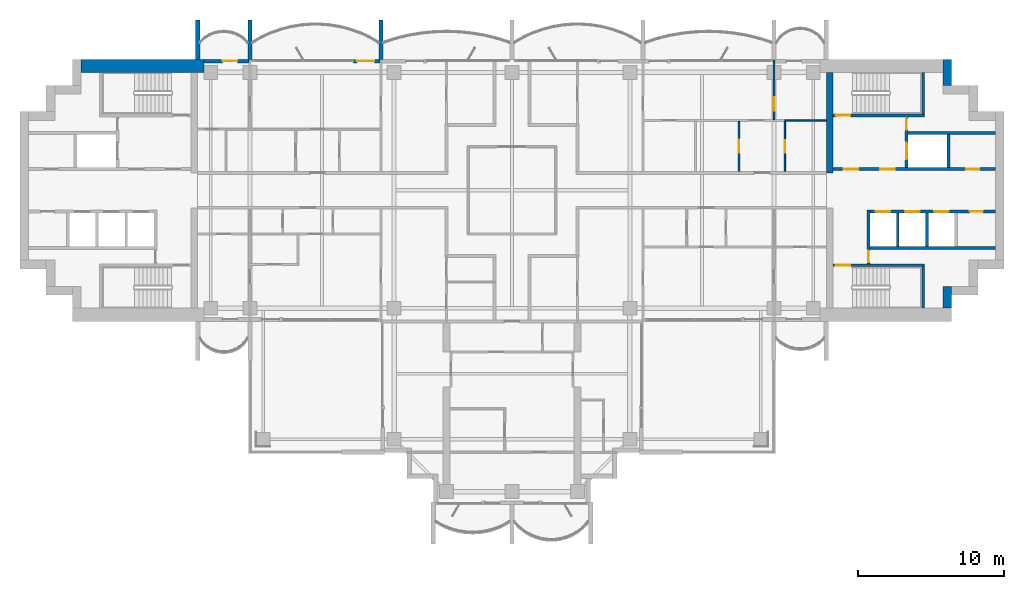
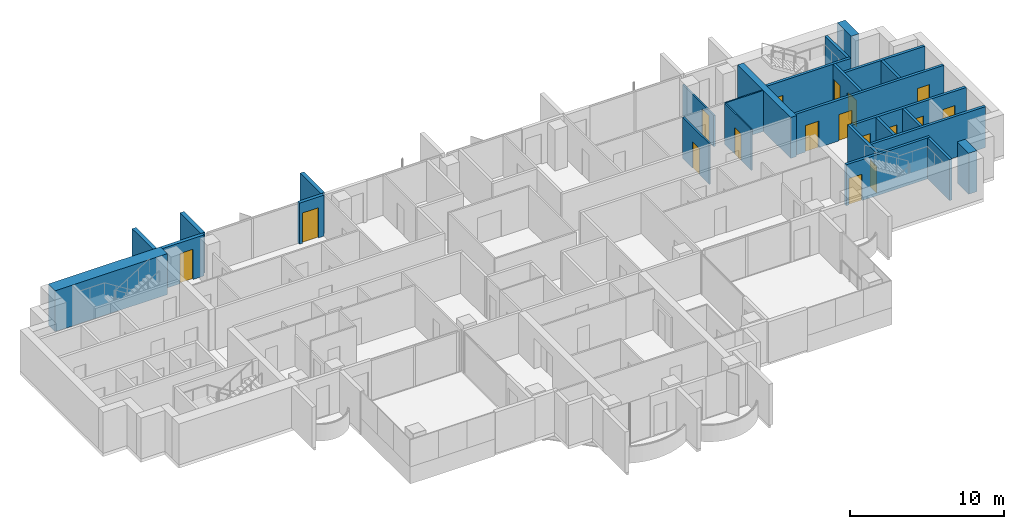
# One storey, part 12 of 17: 26 walls, 17 doors, 17 openings.
"""IFC4 building model written with IfcOpenShell, lengths in metres."""

from ifc_helpers import new_model, si_unit, direction, frame, frame_2d, origin, place, context, subcontext, project, spatial, rectangle, extrude, material, layer, layer_set, type_object, element, fill, save


model = new_model("IFC4")

# Units and contexts
model_context = context("Model", 3, precision=1e-05, world=origin(), true_north=direction((0.0, 1.0)))
body_context = subcontext(model_context, "Body", "Model", "MODEL_VIEW")
ifc_project = project(units=[si_unit("LENGTHUNIT", "METRE"), si_unit("AREAUNIT", "SQUARE_METRE"), si_unit("VOLUMEUNIT", "CUBIC_METRE"), si_unit("PLANEANGLEUNIT", "RADIAN"), si_unit("MASSUNIT", "GRAM", prefix="KILO")], contexts=[model_context])

# Site, building, storey
site_placement = place(None, origin())
site = spatial("IfcSite", under=ifc_project, at=site_placement, CompositionType="ELEMENT")
building_placement = place(site_placement, origin())
building = spatial("IfcBuilding", under=site, at=building_placement, Name="Perihelion Cross Residences", CompositionType="ELEMENT")
storey_placement = place(building_placement, frame((0.0, 0.0, 201.60009765625)))
storey = spatial("IfcBuildingStorey", under=building, at=storey_placement, Name="L50", CompositionType="ELEMENT", Elevation=201.60009765625)

# Wall, opening, door
ifc_material_1 = material(Name="Concrete C30/37, bronze-clad", Category="concrete")
ifc_layer_1 = layer(ifc_material_1, 0.25)
ifc_layer_set_1 = layer_set([ifc_layer_1], Name="Bronze-clad pier wall 250")
wall_type_1 = type_object("IfcWallType", Name="Bronze-clad pier wall 250", PredefinedType="SOLIDWALL", material=ifc_layer_set_1)
wall_1_placement = place(storey_placement, frame((-9.06005859375, 8.875, 0.0), z_axis=(0.0, 0.0, 1.0), x_axis=(-1.0, 0.0, 0.0)))
wall_1 = element("IfcWall", 1, at=wall_1_placement, inside=storey, type_object=wall_type_1, Name="Wall FW1 L50 west side north bay 1 pier", PredefinedType="SOLIDWALL", context=body_context, shape_type="SweptSolid", body=[
    extrude(rectangle(XDim=1.83984375, YDim=0.25, at=frame_2d((0.919921875, 0.0))), origin(), (0.0, 0.0, 1.0), 3.25),
])
opening_1_placement = place(wall_1_placement, frame((0.389892578125, 0.0, 0.0)))
opening_1 = element("IfcOpeningElement", 2, at=opening_1_placement, cuts=wall_1, Name="Opening L50.E05", PredefinedType="OPENING", context=body_context, shape_type="SweptSolid", body=[
    extrude(rectangle(XDim=1.199951171875, YDim=2.39990234375, at=frame_2d((0.60009765625, 1.199951171875))), frame((0.0, 0.135009765625, 0.0), z_axis=(0.0, -1.0, 0.0), x_axis=(1.0, 0.0, 0.0)), (0.0, 0.0, 1.0), 0.27001953125),
])
ifc_material_2 = material(Name="Bronze anodised aluminium, glazed", Category="aluminium")
door_type_1 = type_object("IfcDoorType", Name="Balcony door 1200 x 2400", OperationType="NOTDEFINED", PredefinedType="DOOR", material=ifc_material_2)
door_1_placement = place(opening_1_placement, origin())
door_1 = element("IfcDoor", 3, at=door_1_placement, inside=storey, type_object=door_type_1, Name="Door L50.E05 west side north bay 1", OperationType="SINGLE_SWING_LEFT", OverallHeight=2.39990234375, OverallWidth=1.199951171875, PredefinedType="DOOR", context=body_context, shape_type="SweptSolid", body=[
    extrude(rectangle(XDim=1.199951171875, YDim=2.39990234375, at=frame_2d((0.60009765625, 1.199951171875))), frame((0.0, 0.02490234375, 0.0), z_axis=(0.0, -1.0, 0.0), x_axis=(1.0, 0.0, 0.0)), (0.0, 0.0, 1.0), 0.050048828125),
])
fill(opening_1, door_1)

wall_2_placement = place(storey_placement, frame((-18.06005859375, 8.875, 0.0), z_axis=(0.0, 0.0, 1.0), x_axis=(-1.0, 0.0, 0.0)))
wall_2 = element("IfcWall", 4, at=wall_2_placement, inside=storey, type_object=wall_type_1, Name="Wall FW1 L50 west side north bay 2 pier", PredefinedType="SOLIDWALL", context=body_context, shape_type="SweptSolid", body=[
    extrude(rectangle(XDim=3.114990234375, YDim=0.25, at=frame_2d((1.5576171875, 0.0))), origin(), (0.0, 0.0, 1.0), 3.25),
])
opening_2_placement = place(wall_2_placement, frame((0.81494140625, 0.0, 0.0)))
opening_2 = element("IfcOpeningElement", 5, at=opening_2_placement, cuts=wall_2, Name="Opening L50.E06", PredefinedType="OPENING", context=body_context, shape_type="SweptSolid", body=[
    extrude(rectangle(XDim=1.0, YDim=2.39990234375, at=frame_2d((0.5, 1.199951171875))), frame((0.0, 0.135009765625, 0.0), z_axis=(0.0, -1.0, 0.0), x_axis=(1.0, 0.0, 0.0)), (0.0, 0.0, 1.0), 0.27001953125),
])
ifc_material_3 = material(Name="Bronze anodised aluminium, glazed", Category="aluminium")
door_type_2 = type_object("IfcDoorType", Name="Balcony door 1000 x 2400", OperationType="NOTDEFINED", PredefinedType="DOOR", material=ifc_material_3)
door_2_placement = place(opening_2_placement, origin())
door_2 = element("IfcDoor", 6, at=door_2_placement, inside=storey, type_object=door_type_2, Name="Door L50.E06 west side north bay 2", OperationType="SINGLE_SWING_RIGHT", OverallHeight=2.39990234375, OverallWidth=1.0, PredefinedType="DOOR", context=body_context, shape_type="SweptSolid", body=[
    extrude(rectangle(XDim=1.0, YDim=2.39990234375, at=frame_2d((0.5, 1.199951171875))), frame((0.0, 0.02490234375, 0.0), z_axis=(0.0, -1.0, 0.0), x_axis=(1.0, 0.0, 0.0)), (0.0, 0.0, 1.0), 0.050048828125),
])
fill(opening_2, door_2)

# Walls
ifc_material_4 = material(Name="Concrete C60/75", Category="concrete")
ifc_layer_2 = layer(ifc_material_4, 0.449951171875)
ifc_layer_set_2 = layer_set([ifc_layer_2], Name="Core wall, inner 450")
wall_type_2 = type_object("IfcWallType", Name="Core wall, inner 450", PredefinedType="SHEAR", material=ifc_layer_set_2)
wall_3_placement = place(storey_placement, frame((21.824951171875, 1.199951171875, 0.0), z_axis=(0.0, 0.0, 1.0), x_axis=(0.0, 1.0, 0.0)))
element("IfcWall", 7, at=wall_3_placement, inside=storey, type_object=wall_type_2, Name="East core core wall, inner", PredefinedType="SHEAR", context=body_context, shape_type="SweptSolid", body=[
    extrude(rectangle(XDim=6.900146484375, YDim=0.449951171875, at=frame_2d((3.4501953125, 0.0))), origin(), (0.0, 0.0, 1.0), 3.25),
])
ifc_material_5 = material(Name="Concrete C60/75", Category="concrete")
ifc_layer_3 = layer(ifc_material_5, 0.60009765625)
ifc_layer_set_3 = layer_set([ifc_layer_3], Name="Core wall, outer 600")
wall_type_3 = type_object("IfcWallType", Name="Core wall, outer 600", PredefinedType="SHEAR", material=ifc_layer_set_3)
wall_4_placement = place(storey_placement, frame((29.89990234375, -8.10009765625, 0.0), z_axis=(0.0, 0.0, 1.0), x_axis=(0.0, 1.0, 0.0)))
element("IfcWall", 8, at=wall_4_placement, inside=storey, type_object=wall_type_3, Name="East core core wall, outer", PredefinedType="SHEAR", context=body_context, shape_type="SweptSolid", body=[
    extrude(rectangle(XDim=1.5, YDim=0.60009765625, at=frame_2d((0.75, 0.0))), origin(), (0.0, 0.0, 1.0), 3.25),
])
wall_5_placement = place(storey_placement, frame((29.89990234375, 7.199951171875, 0.0), z_axis=(0.0, 0.0, 1.0), x_axis=(0.0, 1.0, 0.0)))
element("IfcWall", 9, at=wall_5_placement, inside=storey, type_object=wall_type_3, Name="East core core wall, outer", PredefinedType="SHEAR", context=body_context, shape_type="SweptSolid", body=[
    extrude(rectangle(XDim=1.800048828125, YDim=0.60009765625, at=frame_2d((0.89990234375, 0.0))), origin(), (0.0, 0.0, 1.0), 3.25),
])
ifc_material_6 = material(Name="Concrete C60/75", Category="concrete")
ifc_layer_4 = layer(ifc_material_6, 0.89990234375)
ifc_layer_set_4 = layer_set([ifc_layer_4], Name="Core wall, outer 900")
wall_type_4 = type_object("IfcWallType", Name="Core wall, outer 900", PredefinedType="SHEAR", material=ifc_layer_set_4)
wall_6_placement = place(storey_placement, frame((-29.60009765625, 8.550048828125, 0.0), z_axis=(0.0, 0.0, 1.0), x_axis=(1.0, 0.0, 0.0)))
element("IfcWall", 10, at=wall_6_placement, inside=storey, type_object=wall_type_4, Name="West core core wall, outer", PredefinedType="SHEAR", context=body_context, shape_type="SweptSolid", body=[
    extrude(rectangle(XDim=8.425048828125, YDim=0.89990234375, at=frame_2d((4.21240234375, 0.0))), origin(), (0.0, 0.0, 1.0), 3.25),
])

# Wall, opening, door
ifc_material_7 = material(Name="Concrete C50/60", Category="concrete")
ifc_layer_5 = layer(ifc_material_7, 0.199951171875)
ifc_layer_set_5 = layer_set([ifc_layer_5], Name="Lobby wall 200")
wall_type_5 = type_object("IfcWallType", Name="Lobby wall 200", PredefinedType="SOLIDWALL", material=ifc_layer_set_5)
wall_7_placement = place(storey_placement, frame((24.5, -5.050048828125, 0.0), z_axis=(0.0, 0.0, 1.0), x_axis=(0.0, 1.0, 0.0)))
wall_7 = element("IfcWall", 11, at=wall_7_placement, inside=storey, type_object=wall_type_5, Name="East core lobby wall", PredefinedType="SOLIDWALL", context=body_context, shape_type="SweptSolid", body=[
    extrude(rectangle(XDim=3.699951171875, YDim=0.199951171875, at=frame_2d((1.85009765625, 0.0))), origin(), (0.0, 0.0, 1.0), 3.25),
])
opening_3_placement = place(wall_7_placement, frame((0.10009765625, 0.0, 0.0)))
opening_3 = element("IfcOpeningElement", 12, at=opening_3_placement, cuts=wall_7, Name="Opening L50.C08", PredefinedType="OPENING", context=body_context, shape_type="SweptSolid", body=[
    extrude(rectangle(XDim=0.800048828125, YDim=2.10009765625, at=frame_2d((0.39990234375, 1.050048828125))), frame((0.0, 0.10986328125, 0.0), z_axis=(0.0, -1.0, 0.0), x_axis=(1.0, 0.0, 0.0)), (0.0, 0.0, 1.0), 0.219970703125),
])
ifc_material_8 = material(Name="Steel, powder coated", Category="steel")
door_type_3 = type_object("IfcDoorType", Name="Riser door 800", OperationType="SINGLE_SWING_LEFT", PredefinedType="DOOR", material=ifc_material_8)
door_3_placement = place(opening_3_placement, origin())
door_3 = element("IfcDoor", 13, at=door_3_placement, inside=storey, type_object=door_type_3, Name="East core riser door", OperationType="SINGLE_SWING_LEFT", OverallHeight=2.10009765625, OverallWidth=0.800048828125, PredefinedType="DOOR", context=body_context, shape_type="SweptSolid", body=[
    extrude(rectangle(XDim=0.800048828125, YDim=2.10009765625, at=frame_2d((0.39990234375, 1.050048828125))), frame((0.0, 0.02490234375, 0.0), z_axis=(0.0, -1.0, 0.0), x_axis=(1.0, 0.0, 0.0)), (0.0, 0.0, 1.0), 0.050048828125),
])
fill(opening_3, door_3)

ifc_material_9 = material(Name="Plasterboard partition")
ifc_layer_6 = layer(ifc_material_9, 0.1201171875)
ifc_layer_set_6 = layer_set([ifc_layer_6], Name="Partition wall 120")
wall_type_6 = type_object("IfcWallType", Name="Partition wall 120", PredefinedType="PARTITIONING", material=ifc_layer_set_6)
wall_8_placement = place(storey_placement, frame((15.60009765625, 4.739990234375, 0.0), z_axis=(0.0, 0.0, 1.0), x_axis=(0.0, -1.0, 0.0)))
wall_8 = element("IfcWall", 14, at=wall_8_placement, inside=storey, type_object=wall_type_6, Name="Partition L50 W025", PredefinedType="PARTITIONING", context=body_context, shape_type="SweptSolid", body=[
    extrude(rectangle(XDim=3.43994140625, YDim=0.1201171875, at=frame_2d((1.719970703125, 0.0))), origin(), (0.0, 0.0, 1.0), 3.25),
])
opening_4_placement = place(wall_8_placement, frame((1.27001953125, 0.0, 0.0)))
opening_4 = element("IfcOpeningElement", 15, at=opening_4_placement, cuts=wall_8, Name="Opening L50.A08", PredefinedType="OPENING", context=body_context, shape_type="SweptSolid", body=[
    extrude(rectangle(XDim=0.89990234375, YDim=2.10009765625, at=frame_2d((0.449951171875, 1.050048828125))), frame((0.0, 0.070068359375, 0.0), z_axis=(0.0, -1.0, 0.0), x_axis=(1.0, 0.0, 0.0)), (0.0, 0.0, 1.0), 0.14013671875),
])
ifc_material_10 = material(Name="Timber door leaf", Category="wood")
door_type_4 = type_object("IfcDoorType", Name="Interior room door 900 x 2100", OperationType="SINGLE_SWING_LEFT", PredefinedType="DOOR", material=ifc_material_10)
door_4_placement = place(opening_4_placement, origin())
door_4 = element("IfcDoor", 16, at=door_4_placement, inside=storey, type_object=door_type_4, Name="Door L50.A08", OperationType="SINGLE_SWING_RIGHT", OverallHeight=2.10009765625, OverallWidth=0.89990234375, PredefinedType="DOOR", context=body_context, shape_type="SweptSolid", body=[
    extrude(rectangle(XDim=0.89990234375, YDim=2.10009765625, at=frame_2d((0.449951171875, 1.050048828125))), frame((0.0, 0.02490234375, 0.0), z_axis=(0.0, -1.0, 0.0), x_axis=(1.0, 0.0, 0.0)), (0.0, 0.0, 1.0), 0.050048828125),
])
fill(opening_4, door_4)

wall_9_placement = place(storey_placement, frame((18.0, 8.919921875, 0.0), z_axis=(0.0, 0.0, 1.0), x_axis=(0.0, -1.0, 0.0)))
wall_9 = element("IfcWall", 17, at=wall_9_placement, inside=storey, type_object=wall_type_6, Name="Partition L50 W028", PredefinedType="PARTITIONING", context=body_context, shape_type="SweptSolid", body=[
    extrude(rectangle(XDim=4.059814453125, YDim=0.1201171875, at=frame_2d((2.02978515625, 0.0))), origin(), (0.0, 0.0, 1.0), 2.47998046875),
])
opening_5_placement = place(wall_9_placement, frame((2.5400390625, 0.0, 0.0)))
opening_5 = element("IfcOpeningElement", 18, at=opening_5_placement, cuts=wall_9, Name="Opening L50.A02", PredefinedType="OPENING", context=body_context, shape_type="SweptSolid", body=[
    extrude(rectangle(XDim=0.89990234375, YDim=2.10009765625, at=frame_2d((0.449951171875, 1.050048828125))), frame((0.0, 0.070068359375, 0.0), z_axis=(0.0, -1.0, 0.0), x_axis=(1.0, 0.0, 0.0)), (0.0, 0.0, 1.0), 0.14013671875),
])
door_5_placement = place(opening_5_placement, origin())
door_5 = element("IfcDoor", 19, at=door_5_placement, inside=storey, type_object=door_type_4, Name="Door L50.A02", OperationType="SINGLE_SWING_LEFT", OverallHeight=2.10009765625, OverallWidth=0.89990234375, PredefinedType="DOOR", context=body_context, shape_type="SweptSolid", body=[
    extrude(rectangle(XDim=0.89990234375, YDim=2.10009765625, at=frame_2d((0.449951171875, 1.050048828125))), frame((0.0, 0.02490234375, 0.0), z_axis=(0.0, -1.0, 0.0), x_axis=(1.0, 0.0, 0.0)), (0.0, 0.0, 1.0), 0.050048828125),
])
fill(opening_5, door_5)

# Walls
ifc_material_11 = material(Name="Precast concrete C50/60", Category="concrete")
ifc_layer_7 = layer(ifc_material_11, 0.300048828125)
ifc_layer_set_7 = layer_set([ifc_layer_7], Name="Precast concrete C50/60 blade wall 300")
wall_type_7 = type_object("IfcWallType", Name="Precast concrete C50/60 blade wall 300", PredefinedType="SOLIDWALL", material=ifc_layer_set_7)
for number, where, z_axis, x_axis, name in (
    (20, (-21.60009765625, 9.0, 0.0), (0.0, 0.0, 1.0), (0.0, 1.0, 0.0), "Wall BL1 L50 no. 4"),
    (21, (-18.0, 9.0, 0.0), (0.0, 0.0, 1.0), (0.0, 1.0, 0.0), "Wall BL1 L50 no. 2"),
    (22, (-9.0, 9.0, 0.0), (0.0, 0.0, 1.0), (0.0, 1.0, 0.0), "Wall BL1 L50 no. 7"),
):
    element("IfcWall", number, at=place(storey_placement, frame(where, z_axis=z_axis, x_axis=x_axis)), inside=storey, type_object=wall_type_7, Name=name, PredefinedType="SOLIDWALL", context=body_context, shape_type="SweptSolid", body=[
        extrude(rectangle(XDim=2.699951171875, YDim=0.300048828125, at=frame_2d((1.35009765625, 0.0))), origin(), (0.0, 0.0, 1.0), 3.25),
    ])

# Wall, openings, doors
ifc_material_12 = material(Name="Concrete C50/60", Category="concrete")
ifc_layer_8 = layer(ifc_material_12, 0.199951171875)
ifc_layer_set_8 = layer_set([ifc_layer_8], Name="Shaft wall 200")
wall_type_8 = type_object("IfcWallType", Name="Shaft wall 200", PredefinedType="SOLIDWALL", material=ifc_layer_set_8)
wall_10_placement = place(storey_placement, frame((22.050048828125, 1.449951171875, 0.0), z_axis=(0.0, 0.0, 1.0), x_axis=(1.0, 0.0, 0.0)))
wall_10 = element("IfcWall", 23, at=wall_10_placement, inside=storey, type_object=wall_type_8, Name="East core shaft wall", PredefinedType="SOLIDWALL", context=body_context, shape_type="SweptSolid", body=[
    extrude(rectangle(XDim=11.14990234375, YDim=0.199951171875, at=frame_2d((5.574951171875, 0.0))), origin(), (0.0, 0.0, 1.0), 3.25),
])
opening_6_placement = place(wall_10_placement, frame((0.75, 0.0, 0.0)))
opening_6 = element("IfcOpeningElement", 24, at=opening_6_placement, cuts=wall_10, Name="Opening L50.C07", PredefinedType="OPENING", context=body_context, shape_type="SweptSolid", body=[
    extrude(rectangle(XDim=1.0, YDim=2.10009765625, at=frame_2d((0.5, 1.050048828125))), frame((0.0, 0.10986328125, 0.0), z_axis=(0.0, -1.0, 0.0), x_axis=(1.0, 0.0, 0.0)), (0.0, 0.0, 1.0), 0.219970703125),
])
opening_7_placement = place(wall_10_placement, frame((3.25, 0.0, 0.0)))
opening_7 = element("IfcOpeningElement", 25, at=opening_7_placement, cuts=wall_10, Name="Opening L50.C09", PredefinedType="OPENING", context=body_context, shape_type="SweptSolid", body=[
    extrude(rectangle(XDim=1.0, YDim=2.10009765625, at=frame_2d((0.5, 1.050048828125))), frame((0.0, 0.10986328125, 0.0), z_axis=(0.0, -1.0, 0.0), x_axis=(1.0, 0.0, 0.0)), (0.0, 0.0, 1.0), 0.219970703125),
])
opening_8_placement = place(wall_10_placement, frame((9.14990234375, 0.0, 0.0)))
opening_8 = element("IfcOpeningElement", 26, at=opening_8_placement, cuts=wall_10, Name="Opening L50.C11", PredefinedType="OPENING", context=body_context, shape_type="SweptSolid", body=[
    extrude(rectangle(XDim=0.89990234375, YDim=2.10009765625, at=frame_2d((0.449951171875, 1.050048828125))), frame((0.0, 0.10986328125, 0.0), z_axis=(0.0, -1.0, 0.0), x_axis=(1.0, 0.0, 0.0)), (0.0, 0.0, 1.0), 0.219970703125),
])
ifc_material_13 = material(Name="Steel, powder coated", Category="steel")
door_type_5 = type_object("IfcDoorType", Name="Lobby door 1000", OperationType="SINGLE_SWING_LEFT", PredefinedType="DOOR", material=ifc_material_13)
door_6_placement = place(opening_6_placement, origin())
door_6 = element("IfcDoor", 27, at=door_6_placement, inside=storey, type_object=door_type_5, Name="East core firefighting lobby door", OperationType="SINGLE_SWING_LEFT", OverallHeight=2.10009765625, OverallWidth=1.0, PredefinedType="DOOR", context=body_context, shape_type="SweptSolid", body=[
    extrude(rectangle(XDim=1.0, YDim=2.10009765625, at=frame_2d((0.5, 1.050048828125))), frame((0.0, 0.02490234375, 0.0), z_axis=(0.0, -1.0, 0.0), x_axis=(1.0, 0.0, 0.0)), (0.0, 0.0, 1.0), 0.050048828125),
])
fill(opening_6, door_6)
door_7_placement = place(opening_7_placement, origin())
door_7 = element("IfcDoor", 28, at=door_7_placement, inside=storey, type_object=door_type_5, Name="East core firefighting lobby door", OperationType="SINGLE_SWING_LEFT", OverallHeight=2.10009765625, OverallWidth=1.0, PredefinedType="DOOR", context=body_context, shape_type="SweptSolid", body=[
    extrude(rectangle(XDim=1.0, YDim=2.10009765625, at=frame_2d((0.5, 1.050048828125))), frame((0.0, 0.02490234375, 0.0), z_axis=(0.0, -1.0, 0.0), x_axis=(1.0, 0.0, 0.0)), (0.0, 0.0, 1.0), 0.050048828125),
])
fill(opening_7, door_7)
ifc_material_14 = material(Name="Steel, powder coated", Category="steel")
door_type_6 = type_object("IfcDoorType", Name="Service room door 900", OperationType="SINGLE_SWING_LEFT", PredefinedType="DOOR", material=ifc_material_14)
door_8_placement = place(opening_8_placement, origin())
door_8 = element("IfcDoor", 29, at=door_8_placement, inside=storey, type_object=door_type_6, Name="East core service room door", OperationType="SINGLE_SWING_LEFT", OverallHeight=2.10009765625, OverallWidth=0.89990234375, PredefinedType="DOOR", context=body_context, shape_type="SweptSolid", body=[
    extrude(rectangle(XDim=0.89990234375, YDim=2.10009765625, at=frame_2d((0.449951171875, 1.050048828125))), frame((0.0, 0.02490234375, 0.0), z_axis=(0.0, -1.0, 0.0), x_axis=(1.0, 0.0, 0.0)), (0.0, 0.0, 1.0), 0.050048828125),
])
fill(opening_8, door_8)

wall_11_placement = place(storey_placement, frame((24.60009765625, -1.449951171875, 0.0), z_axis=(0.0, 0.0, 1.0), x_axis=(1.0, 0.0, 0.0)))
wall_11 = element("IfcWall", 30, at=wall_11_placement, inside=storey, type_object=wall_type_8, Name="East core shaft wall", PredefinedType="SOLIDWALL", context=body_context, shape_type="SweptSolid", body=[
    extrude(rectangle(XDim=8.599853515625, YDim=0.199951171875, at=frame_2d((4.2998046875, 0.0))), origin(), (0.0, 0.0, 1.0), 3.25),
])
opening_9_placement = place(wall_11_placement, frame((0.39990234375, 0.0, 0.0)))
opening_9 = element("IfcOpeningElement", 31, at=opening_9_placement, cuts=wall_11, Name="Opening L50.C01", PredefinedType="OPENING", context=body_context, shape_type="SweptSolid", body=[
    extrude(rectangle(XDim=1.0, YDim=2.10009765625, at=frame_2d((0.5, 1.050048828125))), frame((0.0, 0.10986328125, 0.0), z_axis=(0.0, -1.0, 0.0), x_axis=(1.0, 0.0, 0.0)), (0.0, 0.0, 1.0), 0.219970703125),
])
opening_10_placement = place(wall_11_placement, frame((2.39990234375, 0.0, 0.0)))
opening_10 = element("IfcOpeningElement", 32, at=opening_10_placement, cuts=wall_11, Name="Opening L50.C03", PredefinedType="OPENING", context=body_context, shape_type="SweptSolid", body=[
    extrude(rectangle(XDim=1.0, YDim=2.10009765625, at=frame_2d((0.5, 1.050048828125))), frame((0.0, 0.10986328125, 0.0), z_axis=(0.0, -1.0, 0.0), x_axis=(1.0, 0.0, 0.0)), (0.0, 0.0, 1.0), 0.219970703125),
])
opening_11_placement = place(wall_11_placement, frame((4.39990234375, 0.0, 0.0)))
opening_11 = element("IfcOpeningElement", 33, at=opening_11_placement, cuts=wall_11, Name="Opening L50.C04", PredefinedType="OPENING", context=body_context, shape_type="SweptSolid", body=[
    extrude(rectangle(XDim=1.0, YDim=2.10009765625, at=frame_2d((0.5, 1.050048828125))), frame((0.0, 0.10986328125, 0.0), z_axis=(0.0, -1.0, 0.0), x_axis=(1.0, 0.0, 0.0)), (0.0, 0.0, 1.0), 0.219970703125),
])
opening_12_placement = place(wall_11_placement, frame((6.85009765625, 0.0, 0.0)))
opening_12 = element("IfcOpeningElement", 34, at=opening_12_placement, cuts=wall_11, Name="Opening L50.C12", PredefinedType="OPENING", context=body_context, shape_type="SweptSolid", body=[
    extrude(rectangle(XDim=0.89990234375, YDim=2.10009765625, at=frame_2d((0.449951171875, 1.050048828125))), frame((0.0, 0.10986328125, 0.0), z_axis=(0.0, -1.0, 0.0), x_axis=(1.0, 0.0, 0.0)), (0.0, 0.0, 1.0), 0.219970703125),
])
ifc_material_15 = material(Name="Stainless steel", Category="steel")
door_type_7 = type_object("IfcDoorType", Name="Landing door 1000", OperationType="DOUBLE_DOOR_SLIDING", PredefinedType="DOOR", material=ifc_material_15)
door_9_placement = place(opening_9_placement, origin())
door_9 = element("IfcDoor", 35, at=door_9_placement, inside=storey, type_object=door_type_7, Name="Landing door, East core high-rise lift 1", OperationType="DOUBLE_DOOR_SLIDING", OverallHeight=2.10009765625, OverallWidth=1.0, PredefinedType="DOOR", context=body_context, shape_type="SweptSolid", body=[
    extrude(rectangle(XDim=1.0, YDim=2.10009765625, at=frame_2d((0.5, 1.050048828125))), frame((0.0, 0.02490234375, 0.0), z_axis=(0.0, -1.0, 0.0), x_axis=(1.0, 0.0, 0.0)), (0.0, 0.0, 1.0), 0.050048828125),
])
fill(opening_9, door_9)
door_10_placement = place(opening_10_placement, origin())
door_10 = element("IfcDoor", 36, at=door_10_placement, inside=storey, type_object=door_type_7, Name="Landing door, East core high-rise lift 2", OperationType="DOUBLE_DOOR_SLIDING", OverallHeight=2.10009765625, OverallWidth=1.0, PredefinedType="DOOR", context=body_context, shape_type="SweptSolid", body=[
    extrude(rectangle(XDim=1.0, YDim=2.10009765625, at=frame_2d((0.5, 1.050048828125))), frame((0.0, 0.02490234375, 0.0), z_axis=(0.0, -1.0, 0.0), x_axis=(1.0, 0.0, 0.0)), (0.0, 0.0, 1.0), 0.050048828125),
])
fill(opening_10, door_10)
door_11_placement = place(opening_11_placement, origin())
door_11 = element("IfcDoor", 37, at=door_11_placement, inside=storey, type_object=door_type_7, Name="Landing door, East core high-rise lift 3", OperationType="DOUBLE_DOOR_SLIDING", OverallHeight=2.10009765625, OverallWidth=1.0, PredefinedType="DOOR", context=body_context, shape_type="SweptSolid", body=[
    extrude(rectangle(XDim=1.0, YDim=2.10009765625, at=frame_2d((0.5, 1.050048828125))), frame((0.0, 0.02490234375, 0.0), z_axis=(0.0, -1.0, 0.0), x_axis=(1.0, 0.0, 0.0)), (0.0, 0.0, 1.0), 0.050048828125),
])
fill(opening_11, door_11)
door_12_placement = place(opening_12_placement, origin())
door_12 = element("IfcDoor", 38, at=door_12_placement, inside=storey, type_object=door_type_6, Name="East core service room door", OperationType="SINGLE_SWING_LEFT", OverallHeight=2.10009765625, OverallWidth=0.89990234375, PredefinedType="DOOR", context=body_context, shape_type="SweptSolid", body=[
    extrude(rectangle(XDim=0.89990234375, YDim=2.10009765625, at=frame_2d((0.449951171875, 1.050048828125))), frame((0.0, 0.02490234375, 0.0), z_axis=(0.0, -1.0, 0.0), x_axis=(1.0, 0.0, 0.0)), (0.0, 0.0, 1.0), 0.050048828125),
])
fill(opening_12, door_12)

# Walls
wall_12_placement = place(storey_placement, frame((27.199951171875, 3.949951171875, 0.0), z_axis=(0.0, 0.0, 1.0), x_axis=(1.0, 0.0, 0.0)))
element("IfcWall", 39, at=wall_12_placement, inside=storey, type_object=wall_type_8, Name="East core shaft wall", PredefinedType="SOLIDWALL", context=body_context, shape_type="SweptSolid", body=[
    extrude(rectangle(XDim=6.0, YDim=0.199951171875, at=frame_2d((3.0, 0.0))), origin(), (0.0, 0.0, 1.0), 3.25),
])
wall_13_placement = place(storey_placement, frame((24.60009765625, -3.949951171875, 0.0), z_axis=(0.0, 0.0, 1.0), x_axis=(1.0, 0.0, 0.0)))
element("IfcWall", 40, at=wall_13_placement, inside=storey, type_object=wall_type_8, Name="East core shaft wall", PredefinedType="SOLIDWALL", context=body_context, shape_type="SweptSolid", body=[
    extrude(rectangle(XDim=8.599853515625, YDim=0.199951171875, at=frame_2d((4.2998046875, 0.0))), origin(), (0.0, 0.0, 1.0), 3.25),
])

# Wall, openings, doors
wall_14_placement = place(storey_placement, frame((27.10009765625, 1.550048828125, 0.0), z_axis=(0.0, 0.0, 1.0), x_axis=(0.0, 1.0, 0.0)))
wall_14 = element("IfcWall", 41, at=wall_14_placement, inside=storey, type_object=wall_type_8, Name="East core shaft wall", PredefinedType="SOLIDWALL", context=body_context, shape_type="SweptSolid", body=[
    extrude(rectangle(XDim=3.5, YDim=0.199951171875, at=frame_2d((1.75, 0.0))), origin(), (0.0, 0.0, 1.0), 3.25),
])
opening_13_placement = place(wall_14_placement, frame((0.60009765625, 0.0, 0.0)))
opening_13 = element("IfcOpeningElement", 42, at=opening_13_placement, cuts=wall_14, Name="Opening L50.C02", PredefinedType="OPENING", context=body_context, shape_type="SweptSolid", body=[
    extrude(rectangle(XDim=1.10009765625, YDim=2.10009765625, at=frame_2d((0.550048828125, 1.050048828125))), frame((0.0, 0.10986328125, 0.0), z_axis=(0.0, -1.0, 0.0), x_axis=(1.0, 0.0, 0.0)), (0.0, 0.0, 1.0), 0.219970703125),
])
opening_14_placement = place(wall_14_placement, frame((2.60009765625, 0.0, 0.0)))
opening_14 = element("IfcOpeningElement", 43, at=opening_14_placement, cuts=wall_14, Name="Opening L50.C10", PredefinedType="OPENING", context=body_context, shape_type="SweptSolid", body=[
    extrude(rectangle(XDim=0.800048828125, YDim=2.10009765625, at=frame_2d((0.39990234375, 1.050048828125))), frame((0.0, 0.10986328125, 0.0), z_axis=(0.0, -1.0, 0.0), x_axis=(1.0, 0.0, 0.0)), (0.0, 0.0, 1.0), 0.219970703125),
])
ifc_material_16 = material(Name="Stainless steel", Category="steel")
door_type_8 = type_object("IfcDoorType", Name="Landing door, firefighting lift 1100", OperationType="DOUBLE_DOOR_SLIDING", PredefinedType="DOOR", material=ifc_material_16)
door_13_placement = place(opening_13_placement, origin())
door_13 = element("IfcDoor", 44, at=door_13_placement, inside=storey, type_object=door_type_8, Name="Landing door, East core firefighting and service lift", OperationType="DOUBLE_DOOR_SLIDING", OverallHeight=2.10009765625, OverallWidth=1.10009765625, PredefinedType="DOOR", context=body_context, shape_type="SweptSolid", body=[
    extrude(rectangle(XDim=1.10009765625, YDim=2.10009765625, at=frame_2d((0.550048828125, 1.050048828125))), frame((0.0, 0.02490234375, 0.0), z_axis=(0.0, -1.0, 0.0), x_axis=(1.0, 0.0, 0.0)), (0.0, 0.0, 1.0), 0.050048828125),
])
fill(opening_13, door_13)
door_14_placement = place(opening_14_placement, origin())
door_14 = element("IfcDoor", 45, at=door_14_placement, inside=storey, type_object=door_type_3, Name="East core riser door", OperationType="SINGLE_SWING_LEFT", OverallHeight=2.10009765625, OverallWidth=0.800048828125, PredefinedType="DOOR", context=body_context, shape_type="SweptSolid", body=[
    extrude(rectangle(XDim=0.800048828125, YDim=2.10009765625, at=frame_2d((0.39990234375, 1.050048828125))), frame((0.0, 0.02490234375, 0.0), z_axis=(0.0, -1.0, 0.0), x_axis=(1.0, 0.0, 0.0)), (0.0, 0.0, 1.0), 0.050048828125),
])
fill(opening_14, door_14)

# Walls
for number, where, z_axis, x_axis, name in (
    (46, (30.0, 1.550048828125, 0.0), (0.0, 0.0, 1.0), (0.0, 1.0, 0.0), "East core shaft wall"),
    (47, (26.5, -3.85009765625, 0.0), (0.0, 0.0, 1.0), (0.0, 1.0, 0.0), "East core shaft wall"),
    (48, (28.5, -3.85009765625, 0.0), (0.0, 0.0, 1.0), (0.0, 1.0, 0.0), "East core shaft wall"),
):
    element("IfcWall", number, at=place(storey_placement, frame(where, z_axis=z_axis, x_axis=x_axis)), inside=storey, type_object=wall_type_8, Name=name, PredefinedType="SOLIDWALL", context=body_context, shape_type="SweptSolid", body=[
        extrude(rectangle(XDim=2.300048828125, YDim=0.199951171875, at=frame_2d((1.14990234375, 0.0))), origin(), (0.0, 0.0, 1.0), 3.25),
    ])

# Wall, opening, door
ifc_material_17 = material(Name="Concrete C50/60", Category="concrete")
ifc_layer_9 = layer(ifc_material_17, 0.199951171875)
ifc_layer_set_9 = layer_set([ifc_layer_9], Name="Stair wall 200")
wall_type_9 = type_object("IfcWallType", Name="Stair wall 200", PredefinedType="SOLIDWALL", material=ifc_layer_set_9)
wall_15_placement = place(storey_placement, frame((22.050048828125, 5.14990234375, 0.0), z_axis=(0.0, 0.0, 1.0), x_axis=(1.0, 0.0, 0.0)))
wall_15 = element("IfcWall", 49, at=wall_15_placement, inside=storey, type_object=wall_type_9, Name="East core stair wall", PredefinedType="SOLIDWALL", context=body_context, shape_type="SweptSolid", body=[
    extrude(rectangle(XDim=6.300048828125, YDim=0.199951171875, at=frame_2d((3.14990234375, 0.0))), origin(), (0.0, 0.0, 1.0), 3.25),
])
opening_15_placement = place(wall_15_placement, frame((0.199951171875, 0.0, 0.0)))
opening_15 = element("IfcOpeningElement", 50, at=opening_15_placement, cuts=wall_15, Name="Opening L50.C06", PredefinedType="OPENING", context=body_context, shape_type="SweptSolid", body=[
    extrude(rectangle(XDim=1.0, YDim=2.10009765625, at=frame_2d((0.5, 1.050048828125))), frame((0.0, 0.10986328125, 0.0), z_axis=(0.0, -1.0, 0.0), x_axis=(1.0, 0.0, 0.0)), (0.0, 0.0, 1.0), 0.219970703125),
])
ifc_material_18 = material(Name="Steel, powder coated", Category="steel")
door_type_9 = type_object("IfcDoorType", Name="Stair door 1000", OperationType="SINGLE_SWING_LEFT", PredefinedType="DOOR", material=ifc_material_18)
door_15_placement = place(opening_15_placement, origin())
door_15 = element("IfcDoor", 51, at=door_15_placement, inside=storey, type_object=door_type_9, Name="East core stair door", OperationType="SINGLE_SWING_LEFT", OverallHeight=2.10009765625, OverallWidth=1.0, PredefinedType="DOOR", context=body_context, shape_type="SweptSolid", body=[
    extrude(rectangle(XDim=1.0, YDim=2.10009765625, at=frame_2d((0.5, 1.050048828125))), frame((0.0, 0.02490234375, 0.0), z_axis=(0.0, -1.0, 0.0), x_axis=(1.0, 0.0, 0.0)), (0.0, 0.0, 1.0), 0.050048828125),
])
fill(opening_15, door_15)

wall_16_placement = place(storey_placement, frame((22.050048828125, -5.14990234375, 0.0), z_axis=(0.0, 0.0, 1.0), x_axis=(1.0, 0.0, 0.0)))
wall_16 = element("IfcWall", 52, at=wall_16_placement, inside=storey, type_object=wall_type_9, Name="East core stair wall", PredefinedType="SOLIDWALL", context=body_context, shape_type="SweptSolid", body=[
    extrude(rectangle(XDim=6.300048828125, YDim=0.199951171875, at=frame_2d((3.14990234375, 0.0))), origin(), (0.0, 0.0, 1.0), 3.25),
])
opening_16_placement = place(wall_16_placement, frame((0.199951171875, 0.0, 0.0)))
opening_16 = element("IfcOpeningElement", 53, at=opening_16_placement, cuts=wall_16, Name="Opening L50.C05", PredefinedType="OPENING", context=body_context, shape_type="SweptSolid", body=[
    extrude(rectangle(XDim=1.0, YDim=2.10009765625, at=frame_2d((0.5, 1.050048828125))), frame((0.0, 0.10986328125, 0.0), z_axis=(0.0, -1.0, 0.0), x_axis=(1.0, 0.0, 0.0)), (0.0, 0.0, 1.0), 0.219970703125),
])
door_16_placement = place(opening_16_placement, origin())
door_16 = element("IfcDoor", 54, at=door_16_placement, inside=storey, type_object=door_type_9, Name="East core stair door", OperationType="SINGLE_SWING_LEFT", OverallHeight=2.10009765625, OverallWidth=1.0, PredefinedType="DOOR", context=body_context, shape_type="SweptSolid", body=[
    extrude(rectangle(XDim=1.0, YDim=2.10009765625, at=frame_2d((0.5, 1.050048828125))), frame((0.0, 0.02490234375, 0.0), z_axis=(0.0, -1.0, 0.0), x_axis=(1.0, 0.0, 0.0)), (0.0, 0.0, 1.0), 0.050048828125),
])
fill(opening_16, door_16)

# Walls
for number, where, z_axis, x_axis, name in (
    (55, (28.25, 5.25, 0.0), (0.0, 0.0, 1.0), (0.0, 1.0, 0.0), "East core stair wall"),
    (56, (28.25, -8.10009765625, 0.0), (0.0, 0.0, 1.0), (0.0, 1.0, 0.0), "East core stair wall"),
):
    element("IfcWall", number, at=place(storey_placement, frame(where, z_axis=z_axis, x_axis=x_axis)), inside=storey, type_object=wall_type_9, Name=name, PredefinedType="SOLIDWALL", context=body_context, shape_type="SweptSolid", body=[
        extrude(rectangle(XDim=2.85009765625, YDim=0.199951171875, at=frame_2d((1.425048828125, 0.0))), origin(), (0.0, 0.0, 1.0), 3.25),
    ])

# Wall, opening, door
ifc_material_19 = material(Name="Plasterboard partition")
ifc_layer_10 = layer(ifc_material_19, 0.10009765625)
ifc_layer_set_10 = layer_set([ifc_layer_10], Name="Wet room wall 100")
wall_type_10 = type_object("IfcWallType", Name="Wet room wall 100", PredefinedType="PARTITIONING", material=ifc_layer_set_10)
wall_17_placement = place(storey_placement, frame((18.75, 4.739990234375, 0.0), z_axis=(0.0, 0.0, 1.0), x_axis=(0.0, -1.0, 0.0)))
wall_17 = element("IfcWall", 57, at=wall_17_placement, inside=storey, type_object=wall_type_10, Name="Partition L50 W026", PredefinedType="PARTITIONING", context=body_context, shape_type="SweptSolid", body=[
    extrude(rectangle(XDim=3.43994140625, YDim=0.10009765625, at=frame_2d((1.719970703125, 0.0))), origin(), (0.0, 0.0, 1.0), 3.25),
])
opening_17_placement = place(wall_17_placement, frame((1.294921875, 0.0, 0.0)))
opening_17 = element("IfcOpeningElement", 58, at=opening_17_placement, cuts=wall_17, Name="Opening L50.A04", PredefinedType="OPENING", context=body_context, shape_type="SweptSolid", body=[
    extrude(rectangle(XDim=0.85009765625, YDim=2.10009765625, at=frame_2d((0.425048828125, 1.050048828125))), frame((0.0, 0.06005859375, 0.0), z_axis=(0.0, -1.0, 0.0), x_axis=(1.0, 0.0, 0.0)), (0.0, 0.0, 1.0), 0.1201171875),
])
ifc_material_20 = material(Name="Timber door leaf", Category="wood")
door_type_10 = type_object("IfcDoorType", Name="Interior bathroom door 850 x 2100", OperationType="SINGLE_SWING_LEFT", PredefinedType="DOOR", material=ifc_material_20)
door_17_placement = place(opening_17_placement, origin())
door_17 = element("IfcDoor", 59, at=door_17_placement, inside=storey, type_object=door_type_10, Name="Door L50.A04", OperationType="SINGLE_SWING_RIGHT", OverallHeight=2.10009765625, OverallWidth=0.85009765625, PredefinedType="DOOR", context=body_context, shape_type="SweptSolid", body=[
    extrude(rectangle(XDim=0.85009765625, YDim=2.10009765625, at=frame_2d((0.425048828125, 1.050048828125))), frame((0.0, 0.02490234375, 0.0), z_axis=(0.0, -1.0, 0.0), x_axis=(1.0, 0.0, 0.0)), (0.0, 0.0, 1.0), 0.050048828125),
])
fill(opening_17, door_17)

# Wall
wall_18_placement = place(storey_placement, frame((18.75, 4.800048828125, 0.0), z_axis=(0.0, 0.0, 1.0), x_axis=(1.0, 0.0, 0.0)))
element("IfcWall", 60, at=wall_18_placement, inside=storey, type_object=wall_type_10, Name="Partition L50 W027", PredefinedType="PARTITIONING", context=body_context, shape_type="SweptSolid", body=[
    extrude(rectangle(XDim=2.85009765625, YDim=0.10009765625, at=frame_2d((1.425048828125, 0.0))), origin(), (0.0, 0.0, 1.0), 3.25),
])

save(model, "model.ifc")
